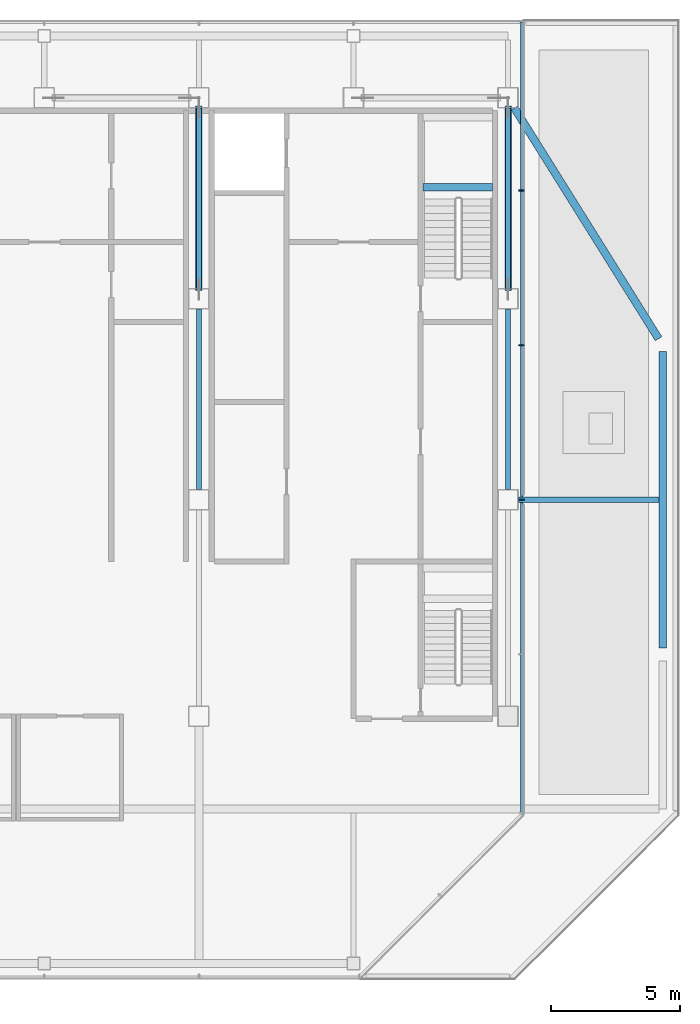
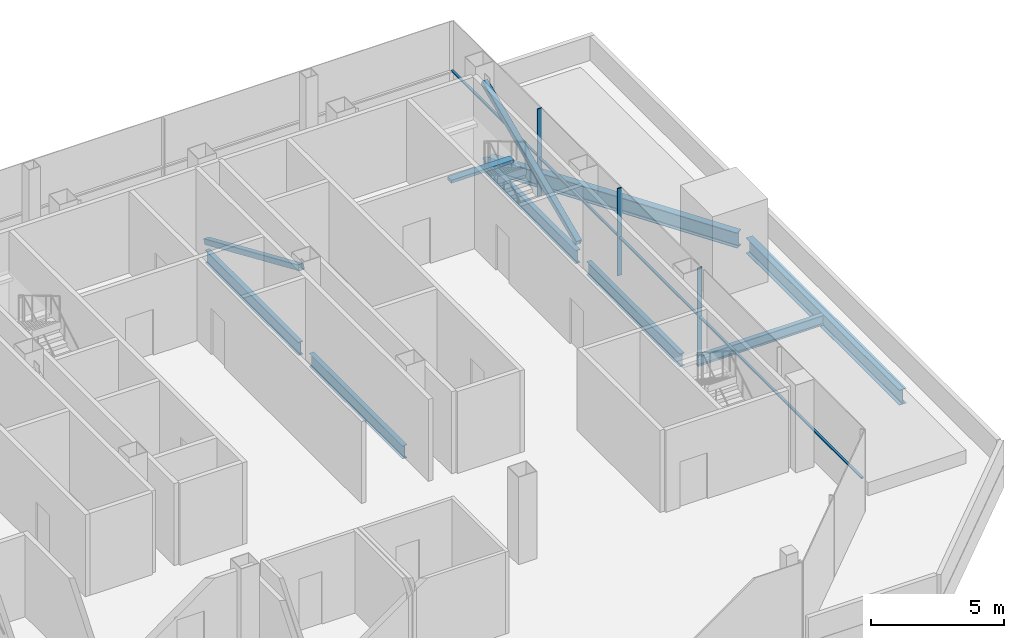
# One storey, part 8 of 17: 8 beams, 6 members, 1 element without a shape of its own.
"""IFC4 building model written with IfcOpenShell, lengths in metres."""

from ifc_helpers import new_model, si_unit, direction, frame, origin, origin_2d, place, context, subcontext, project, spatial, rectangle, hollow_rectangle, i_section, extrude, material, material_profile, profile_set, type_object, element, aggregate, save


model = new_model("IFC4")

# Units and contexts
model_context = context("Model", 3, precision=1e-05, world=origin(), true_north=direction((0.0, 1.0)))
body_context = subcontext(model_context, "Body", "Model", "MODEL_VIEW")
ifc_project = project(units=[si_unit("LENGTHUNIT", "METRE"), si_unit("AREAUNIT", "SQUARE_METRE"), si_unit("VOLUMEUNIT", "CUBIC_METRE"), si_unit("PLANEANGLEUNIT", "RADIAN"), si_unit("MASSUNIT", "GRAM", prefix="KILO")], contexts=[model_context])

# Site, building, storey
site_placement = place(None, origin())
site = spatial("IfcSite", under=ifc_project, at=site_placement, CompositionType="ELEMENT")
building_placement = place(site_placement, origin())
building = spatial("IfcBuilding", under=site, at=building_placement, Name="Sorahane Residences", CompositionType="ELEMENT")
storey_placement = place(building_placement, frame((0.0, 0.0, 341.800048828125)))
storey = spatial("IfcBuildingStorey", under=building, at=storey_placement, Name="L81", CompositionType="ELEMENT", Elevation=341.800048828125)

# Members
ifc_material_1 = material(Name="Steel Q355B", Category="steel")
ifc_material_profile_1 = material_profile(ifc_material_1, hollow_rectangle(XDim=0.25, YDim=0.25, WallThickness=0.011962890625, InnerFilletRadius=0.006103515625, OuterFilletRadius=0.01806640625, at=origin_2d()), Name="RHS 250x250x12")
ifc_profile_set_1 = profile_set([ifc_material_profile_1], Name="Steel Q355B")
member_type_1 = type_object("IfcMemberType", Name="Core brace RHS 250x250x12 Q355B", PredefinedType="BRACE", material=ifc_profile_set_1)
for number, where, z_axis, x_axis, name in (
    (1, (42.0, 38.169921875, 0.11181640625), (0.0, 0.916757291072, 0.399444701138), (-1.0, 0.0, 0.0), "Core brace L81 x42-3"),
    (2, (30.0, 45.22998046875, 0.11181640625), (0.0, -0.916757291072, 0.399444701138), (1.0, 0.0, 0.0), "Core brace L81 x30-2"),
):
    element("IfcMember", number, at=place(storey_placement, frame(where, z_axis=z_axis, x_axis=x_axis)), inside=storey, type_object=member_type_1, Name=name, PredefinedType="BRACE", context=body_context, shape_type="SweptSolid", body=[
        extrude(hollow_rectangle(XDim=0.25, YDim=0.25, WallThickness=0.011962890625, InnerFilletRadius=0.006103515625, OuterFilletRadius=0.01806640625, at=origin_2d()), origin(), (0.0, 0.0, 1.0), 7.701171875),
    ])

# Curtain wall, members
ifc_material_2 = material(Name="Dark low-e glass and black anodised aluminium", Category="aluminium")
curtain_wall_type = type_object("IfcCurtainWallType", Name="Curtain wall CW-6 Crown unitised wall", PredefinedType="NOTDEFINED", material=ifc_material_2)
curtain_wall_placement = place(storey_placement, origin())
curtain_wall = element("IfcCurtainWall", 3, at=curtain_wall_placement, inside=storey, type_object=curtain_wall_type, Name="CW-6 curtain wall L81 E1", PredefinedType="NOTDEFINED")
ifc_material_3 = material(Name="Black anodised aluminium", Category="aluminium")
ifc_material_profile_2 = material_profile(ifc_material_3, rectangle(XDim=0.199951171875, YDim=0.050048828125, at=origin_2d()), Name="Curtain wall mullion CW-6 black anodised aluminium 50x200")
ifc_profile_set_2 = profile_set([ifc_material_profile_2], Name="Black anodised aluminium")
member_type_2 = type_object("IfcMemberType", Name="Curtain wall mullion CW-6 black anodised aluminium 50x200", PredefinedType="MULLION", material=ifc_profile_set_2)
member_1_placement = place(storey_placement, frame((42.52001953125, 30.0, -0.25), z_axis=(0.0, 0.0, 1.0), x_axis=(1.0, 0.0, 0.0)))
member_1 = element("IfcMember", 4, at=member_1_placement, type_object=member_type_2, Name="CW-6 mullion L81 E1.3", PredefinedType="MULLION", context=body_context, shape_type="SweptSolid", body=[
    extrude(rectangle(XDim=0.199951171875, YDim=0.050048828125, at=origin_2d()), origin(), (0.0, 0.0, 1.0), 4.0),
])
member_2_placement = place(storey_placement, frame((42.52001953125, 36.0, -0.25), z_axis=(0.0, 0.0, 1.0), x_axis=(1.0, 0.0, 0.0)))
member_2 = element("IfcMember", 5, at=member_2_placement, type_object=member_type_2, Name="CW-6 mullion L81 E1.4", PredefinedType="MULLION", context=body_context, shape_type="SweptSolid", body=[
    extrude(rectangle(XDim=0.199951171875, YDim=0.050048828125, at=origin_2d()), origin(), (0.0, 0.0, 1.0), 4.0),
])
member_3_placement = place(storey_placement, frame((42.52001953125, 42.0, -0.25), z_axis=(0.0, 0.0, 1.0), x_axis=(1.0, 0.0, 0.0)))
member_3 = element("IfcMember", 6, at=member_3_placement, type_object=member_type_2, Name="CW-6 mullion L81 E1.5", PredefinedType="MULLION", context=body_context, shape_type="SweptSolid", body=[
    extrude(rectangle(XDim=0.199951171875, YDim=0.050048828125, at=origin_2d()), origin(), (0.0, 0.0, 1.0), 4.0),
])
ifc_material_4 = material(Name="Black anodised aluminium", Category="aluminium")
ifc_material_profile_3 = material_profile(ifc_material_4, rectangle(XDim=0.10009765625, YDim=0.06005859375, at=origin_2d()), Name="Curtain wall transom CW-6 black anodised aluminium 60x100")
ifc_profile_set_3 = profile_set([ifc_material_profile_3], Name="Black anodised aluminium")
member_type_3 = type_object("IfcMemberType", Name="Curtain wall transom CW-6 black anodised aluminium 60x100", PredefinedType="USERDEFINED", material=ifc_profile_set_3)
member_4_placement = place(storey_placement, frame((42.530029296875, 17.801513671875, 1.5), z_axis=(0.0, 1.0, 0.0), x_axis=(-1.0, 0.0, 0.0)))
member_4 = element("IfcMember", 7, at=member_4_placement, type_object=member_type_3, Name="CW-6 transom L81 E1", ObjectType="TRANSOM", PredefinedType="USERDEFINED", context=body_context, shape_type="SweptSolid", body=[
    extrude(rectangle(XDim=0.10009765625, YDim=0.06005859375, at=origin_2d()), origin(), (0.0, 0.0, 1.0), 30.74853515625),
])
aggregate(curtain_wall, [member_1, member_2, member_3, member_4])

# Beams
ifc_material_5 = material(Name="Concrete C40", Category="concrete")
ifc_material_profile_4 = material_profile(ifc_material_5, rectangle(XDim=0.300048828125, YDim=0.139892578125, at=origin_2d()), Name="300x140")
ifc_profile_set_4 = profile_set([ifc_material_profile_4], Name="Concrete C40")
beam_type_1 = type_object("IfcBeamType", Name="RC landing beam 300 x 140 Concrete C40", PredefinedType="BEAM", material=ifc_profile_set_4)
beam_1_placement = place(storey_placement, frame((38.699951171875, 42.1298828125, 1.72998046875), z_axis=(1.0, 0.0, 0.0), x_axis=(0.0, 1.0, 0.0)))
element("IfcBeam", 8, at=beam_1_placement, inside=storey, type_object=beam_type_1, Name="Landing beam", PredefinedType="BEAM", context=body_context, shape_type="SweptSolid", body=[
    extrude(rectangle(XDim=0.300048828125, YDim=0.139892578125, at=origin_2d()), origin(), (0.0, 0.0, 1.0), 2.699951171875),
])
ifc_material_6 = material(Name="Steel Q355B", Category="steel")
ifc_material_profile_5 = material_profile(ifc_material_6, i_section(OverallWidth=0.199951171875, OverallDepth=0.449951171875, WebThickness=0.009033203125, FlangeThickness=0.013916015625, FilletRadius=0.02001953125, at=origin_2d()), Name="HN 450x200x9x14")
ifc_profile_set_5 = profile_set([ifc_material_profile_5], Name="Steel Q355B")
beam_type_2 = type_object("IfcBeamType", Name="Steel floor beam HN 450x200x9x14 Q355B", PredefinedType="BEAM", material=ifc_profile_set_5)
beam_2_placement = place(storey_placement, frame((42.39990234375, 30.0, -0.47509765625), z_axis=(1.0, 0.0, 0.0), x_axis=(0.0, 1.0, 0.0)))
element("IfcBeam", 9, at=beam_2_placement, inside=storey, type_object=beam_type_2, Name="Beam L81 046", PredefinedType="BEAM", context=body_context, shape_type="SweptSolid", body=[
    extrude(i_section(OverallWidth=0.199951171875, OverallDepth=0.449951171875, WebThickness=0.009033203125, FlangeThickness=0.013916015625, FilletRadius=0.02001953125, at=origin_2d()), origin(), (0.0, 0.0, 1.0), 5.4501953125),
])
ifc_material_7 = material(Name="Steel Q355B", Category="steel")
ifc_material_profile_6 = material_profile(ifc_material_7, i_section(OverallWidth=0.199951171875, OverallDepth=0.60009765625, WebThickness=0.010986328125, FlangeThickness=0.01708984375, FilletRadius=0.02392578125, at=origin_2d()), Name="HN 600x200x11x17")
ifc_profile_set_6 = profile_set([ifc_material_profile_6], Name="Steel Q355B")
beam_type_3 = type_object("IfcBeamType", Name="Steel floor beam HN 600x200x11x17 Q355B", PredefinedType="BEAM", material=ifc_profile_set_6)
for number, where, z_axis, x_axis, name in (
    (10, (30.0, 30.39990234375, -0.550048828125), (0.0, 1.0, 0.0), (-1.0, 0.0, 0.0), "Beam L81 030"),
    (11, (30.0, 38.199951171875, -0.550048828125), (0.0, 1.0, 0.0), (-1.0, 0.0, 0.0), "Beam L81 031"),
    (12, (42.0, 30.39990234375, -0.550048828125), (0.0, 1.0, 0.0), (-1.0, 0.0, 0.0), "Beam L81 035"),
    (13, (42.0, 38.199951171875, -0.550048828125), (0.0, 1.0, 0.0), (-1.0, 0.0, 0.0), "Beam L81 036"),
):
    element("IfcBeam", number, at=place(storey_placement, frame(where, z_axis=z_axis, x_axis=x_axis)), inside=storey, type_object=beam_type_3, Name=name, PredefinedType="BEAM", context=body_context, shape_type="SweptSolid", body=[
        extrude(i_section(OverallWidth=0.199951171875, OverallDepth=0.60009765625, WebThickness=0.010986328125, FlangeThickness=0.01708984375, FilletRadius=0.02392578125, at=origin_2d()), origin(), (0.0, 0.0, 1.0), 7.0),
    ])
ifc_material_8 = material(Name="Steel Q355B", Category="steel")
ifc_material_profile_7 = material_profile(ifc_material_8, i_section(OverallWidth=0.300048828125, OverallDepth=0.699951171875, WebThickness=0.012939453125, FlangeThickness=0.02392578125, FilletRadius=0.028076171875, at=origin_2d()), Name="HN 700x300x13x24")
ifc_profile_set_7 = profile_set([ifc_material_profile_7], Name="Steel Q355B")
beam_type_4 = type_object("IfcBeamType", Name="Steel floor beam HN 700x300x13x24 Q355B", PredefinedType="BEAM", material=ifc_profile_set_7)
beam_3_placement = place(storey_placement, frame((48.0, 24.25, -0.60009765625), z_axis=(0.0, 1.0, 0.0), x_axis=(-1.0, 0.0, 0.0)))
element("IfcBeam", 14, at=beam_3_placement, inside=storey, type_object=beam_type_4, Name="Beam L81 037", PredefinedType="BEAM", context=body_context, shape_type="SweptSolid", body=[
    extrude(i_section(OverallWidth=0.300048828125, OverallDepth=0.699951171875, WebThickness=0.012939453125, FlangeThickness=0.02392578125, FilletRadius=0.028076171875, at=origin_2d()), origin(), (0.0, 0.0, 1.0), 11.5),
])
beam_4_placement = place(storey_placement, frame((42.25, 45.199951171875, -0.60009765625), z_axis=(0.530001019285, -0.84799700445, 0.0), x_axis=(0.84799700445, 0.530001019285, 0.0)))
element("IfcBeam", 15, at=beam_4_placement, inside=storey, type_object=beam_type_4, Name="Beam L81 051", PredefinedType="BEAM", context=body_context, shape_type="SweptSolid", body=[
    extrude(i_section(OverallWidth=0.300048828125, OverallDepth=0.699951171875, WebThickness=0.012939453125, FlangeThickness=0.02392578125, FilletRadius=0.028076171875, at=origin_2d()), origin(), (0.0, 0.0, 1.0), 10.55419921875),
])

save(model, "model.ifc")
